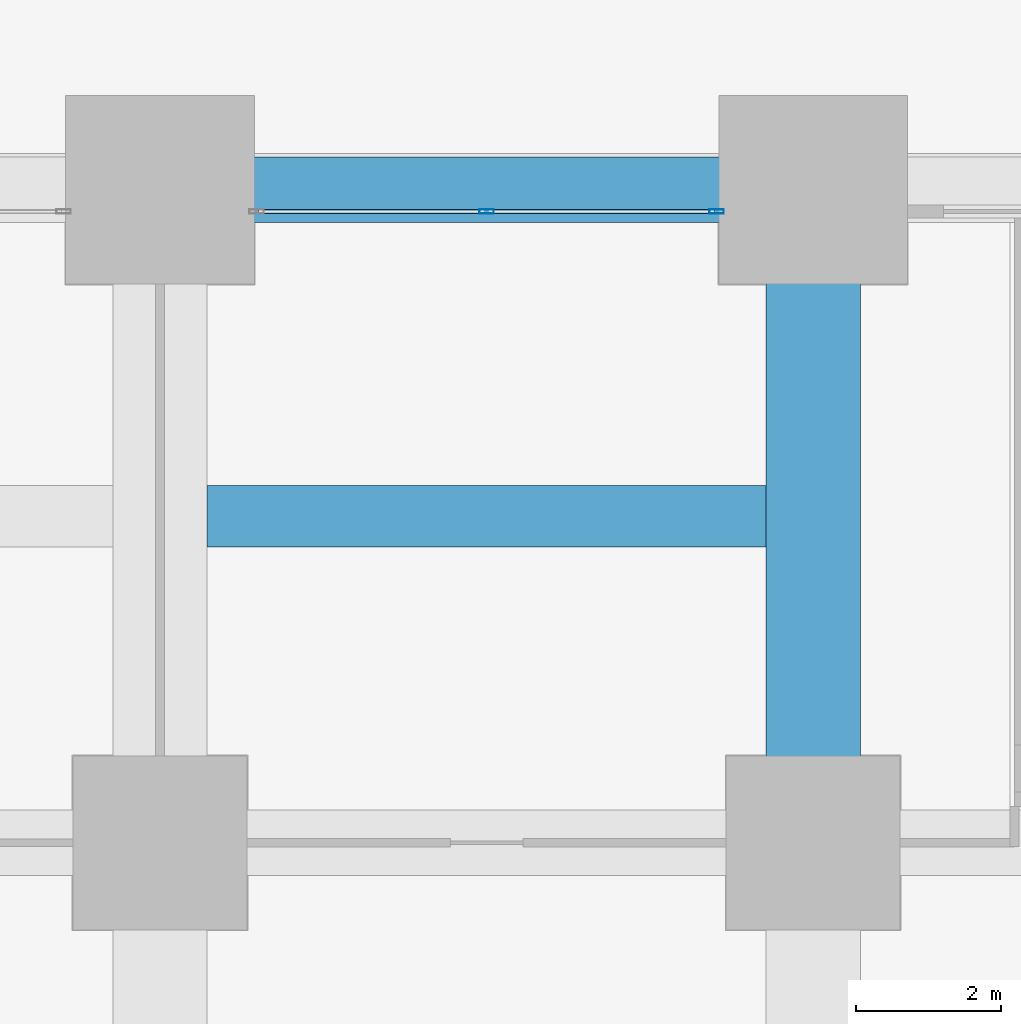
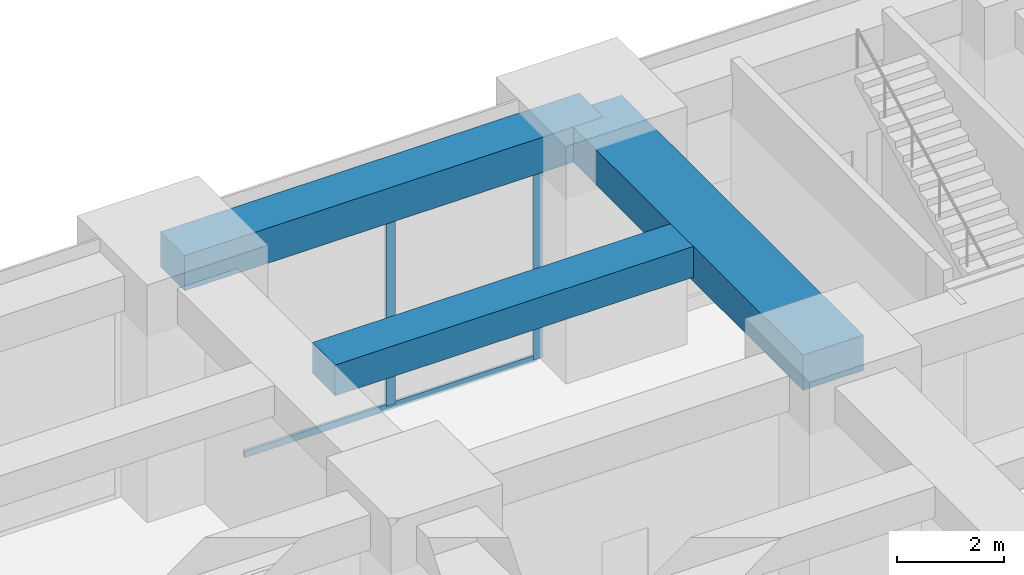
# One storey, part 28 of 56: 3 beams, 3 members, 1 element without a shape of its own.
"""IFC4 building model written with IfcOpenShell, lengths in metres."""

from ifc_helpers import new_model, si_unit, direction, frame, origin, origin_2d, place, context, subcontext, project, spatial, rectangle, hollow_rectangle, extrude, material, material_profile, profile_set, type_object, element, aggregate, save


model = new_model("IFC4")

# Units and contexts
model_context = context("Model", 3, precision=1e-05, world=origin(), true_north=direction((0.0, 1.0)))
body_context = subcontext(model_context, "Body", "Model", "MODEL_VIEW")
ifc_project = project(units=[si_unit("LENGTHUNIT", "METRE"), si_unit("AREAUNIT", "SQUARE_METRE"), si_unit("VOLUMEUNIT", "CUBIC_METRE"), si_unit("PLANEANGLEUNIT", "RADIAN"), si_unit("MASSUNIT", "GRAM", prefix="KILO")], contexts=[model_context])

# Site, building, storey
site_placement = place(None, origin())
site = spatial("IfcSite", under=ifc_project, at=site_placement, CompositionType="ELEMENT")
building_placement = place(site_placement, origin())
building = spatial("IfcBuilding", under=site, at=building_placement, Name="Zorevar Civic Tower", CompositionType="ELEMENT")
storey_placement = place(building_placement, origin())
storey = spatial("IfcBuildingStorey", under=building, at=storey_placement, Name="L00", CompositionType="ELEMENT", Elevation=0.0)

# Beams
ifc_material_1 = material(Name="Concrete C50/60", Category="concrete")
ifc_material_profile_1 = material_profile(ifc_material_1, rectangle(XDim=1.300048828125, YDim=0.800048828125, at=origin_2d()), Name="RC 1300x800")
ifc_profile_set_1 = profile_set([ifc_material_profile_1], Name="Concrete C50/60")
beam_type_1 = type_object("IfcBeamType", Name="Beam RC 1300x800", PredefinedType="BEAM", material=ifc_profile_set_1)
beam_1_placement = place(storey_placement, frame((54.0, 45.0, 4.699951171875), z_axis=(0.0, 1.0, 0.0), x_axis=(-1.0, 0.0, 0.0)))
element("IfcBeam", 1, at=beam_1_placement, inside=storey, type_object=beam_type_1, Name="Girder L01", PredefinedType="BEAM", context=body_context, shape_type="SweptSolid", body=[
    extrude(rectangle(XDim=1.300048828125, YDim=0.800048828125, at=origin_2d()), origin(), (0.0, 0.0, 1.0), 9.0),
])
ifc_material_2 = material(Name="Concrete C50/60", Category="concrete")
ifc_material_profile_2 = material_profile(ifc_material_2, rectangle(XDim=0.85009765625, YDim=0.699951171875, at=origin_2d()), Name="RC 850x700")
ifc_profile_set_2 = profile_set([ifc_material_profile_2], Name="Concrete C50/60")
beam_type_2 = type_object("IfcBeamType", Name="Beam RC 850x700", PredefinedType="BEAM", material=ifc_profile_set_2)
beam_2_placement = place(storey_placement, frame((45.64990234375, 49.5, 4.75), z_axis=(1.0, 0.0, 0.0), x_axis=(0.0, 1.0, 0.0)))
element("IfcBeam", 2, at=beam_2_placement, inside=storey, type_object=beam_type_2, Name="Secondary beam L01", PredefinedType="BEAM", context=body_context, shape_type="SweptSolid", body=[
    extrude(rectangle(XDim=0.85009765625, YDim=0.699951171875, at=origin_2d()), origin(), (0.0, 0.0, 1.0), 7.7001953125),
])

# Curtain wall, members
ifc_material_3 = material(Name="Dark grey solar-control glass in black aluminium frame", Category="aluminium")
curtain_wall_type = type_object("IfcCurtainWallType", Name="Curtain wall CW1 podium", PredefinedType="NOTDEFINED", material=ifc_material_3)
curtain_wall_placement = place(storey_placement, origin())
curtain_wall = element("IfcCurtainWall", 3, at=curtain_wall_placement, inside=storey, type_object=curtain_wall_type, Name="CW1 L00", PredefinedType="NOTDEFINED")
ifc_material_4 = material(Name="Aluminium, black anodised", Category="aluminium")
ifc_material_profile_3 = material_profile(ifc_material_4, hollow_rectangle(XDim=0.06005859375, YDim=0.199951171875, WallThickness=0.00390625, at=origin_2d()), Name="AL 200x60x4")
ifc_profile_set_3 = profile_set([ifc_material_profile_3], Name="Aluminium, black anodised")
member_type_1 = type_object("IfcMemberType", Name="CW1 mullion AL 200x60x4", PredefinedType="MULLION", material=ifc_profile_set_3)
member_1_placement = place(storey_placement, frame((49.5, 53.699951171875, 0.06005859375), z_axis=(0.0, 0.0, 1.0), x_axis=(0.0, 1.0, 0.0)))
member_1 = element("IfcMember", 4, at=member_1_placement, type_object=member_type_1, Name="CW1 mullion 2", PredefinedType="MULLION", context=body_context, shape_type="SweptSolid", body=[
    extrude(hollow_rectangle(XDim=0.06005859375, YDim=0.199951171875, WallThickness=0.00390625, at=origin_2d()), origin(), (0.0, 0.0, 1.0), 4.239990234375),
])
member_2_placement = place(storey_placement, frame((52.669921875, 53.699951171875, 0.0), z_axis=(0.0, 0.0, 1.0), x_axis=(0.0, 1.0, 0.0)))
member_2 = element("IfcMember", 5, at=member_2_placement, type_object=member_type_1, Name="CW1 mullion 3", PredefinedType="MULLION", context=body_context, shape_type="SweptSolid", body=[
    extrude(hollow_rectangle(XDim=0.06005859375, YDim=0.199951171875, WallThickness=0.00390625, at=origin_2d()), origin(), (0.0, 0.0, 1.0), 4.300048828125),
])
ifc_material_5 = material(Name="Aluminium, black anodised", Category="aluminium")
ifc_material_profile_4 = material_profile(ifc_material_5, hollow_rectangle(XDim=0.06005859375, YDim=0.14990234375, WallThickness=0.00390625, at=origin_2d()), Name="AL 150x60x4")
ifc_profile_set_4 = profile_set([ifc_material_profile_4], Name="Aluminium, black anodised")
member_type_2 = type_object("IfcMemberType", Name="CW1 transom AL 150x60x4", PredefinedType="USERDEFINED", material=ifc_profile_set_4)
member_3_placement = place(storey_placement, frame((46.360107421875, 53.699951171875, 0.030029296875), z_axis=(1.0, 0.0, 0.0), x_axis=(0.0, 1.0, 0.0)))
member_3 = element("IfcMember", 6, at=member_3_placement, type_object=member_type_2, Name="CW1 sill transom", ObjectType="TRANSOM", PredefinedType="USERDEFINED", context=body_context, shape_type="SweptSolid", body=[
    extrude(hollow_rectangle(XDim=0.06005859375, YDim=0.14990234375, WallThickness=0.00390625, at=origin_2d()), origin(), (0.0, 0.0, 1.0), 6.27978515625),
])
aggregate(curtain_wall, [member_1, member_2, member_3])

# Beam
ifc_material_6 = material(Name="Concrete C50/60", Category="concrete")
ifc_material_profile_5 = material_profile(ifc_material_6, rectangle(XDim=0.89990234375, YDim=0.800048828125, at=origin_2d()), Name="RC 900x800")
ifc_profile_set_5 = profile_set([ifc_material_profile_5], Name="Concrete C50/60")
beam_type_3 = type_object("IfcBeamType", Name="Edge beam RC 900x800", PredefinedType="SPANDREL", material=ifc_profile_set_5)
beam_3_placement = place(storey_placement, frame((45.0, 54.0, 4.699951171875), z_axis=(1.0, 0.0, 0.0), x_axis=(0.0, 1.0, 0.0)))
element("IfcBeam", 7, at=beam_3_placement, inside=storey, type_object=beam_type_3, Name="Edge beam L01", PredefinedType="SPANDREL", context=body_context, shape_type="SweptSolid", body=[
    extrude(rectangle(XDim=0.89990234375, YDim=0.800048828125, at=origin_2d()), origin(), (0.0, 0.0, 1.0), 9.0),
])

save(model, "model.ifc")
